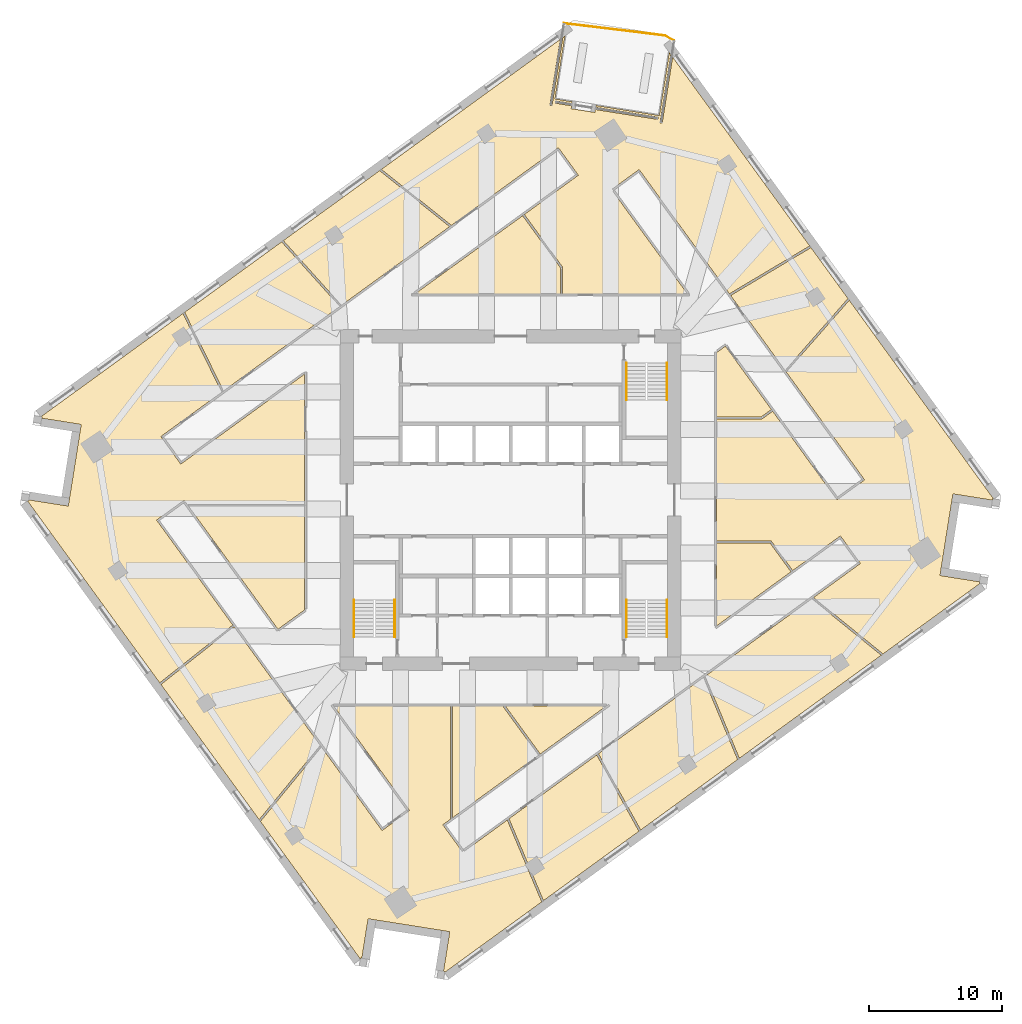
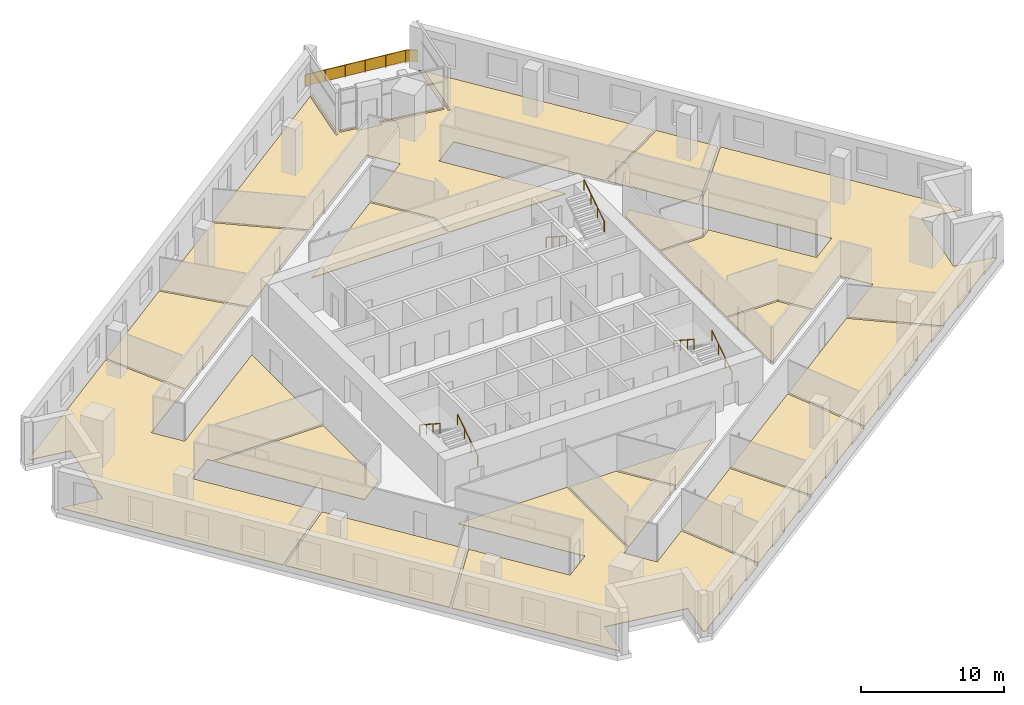
# One storey, part 10 of 11: 17 coverings, 7 railings.
"""IFC4 building model written with IfcOpenShell, lengths in metres."""

from ifc_helpers import new_model, si_unit, direction, frame, origin, origin_2d, place, context, subcontext, project, spatial, polyline, rectangle, circle, outline, extrude, material, layer, layer_set, type_object, element, save


model = new_model("IFC4")

# Units and contexts
model_context = context("Model", 3, precision=1e-05, world=origin(), true_north=direction((0.0, 1.0)))
body_context = subcontext(model_context, "Body", "Model", "MODEL_VIEW")
ifc_project = project(units=[si_unit("LENGTHUNIT", "METRE"), si_unit("AREAUNIT", "SQUARE_METRE"), si_unit("VOLUMEUNIT", "CUBIC_METRE"), si_unit("PLANEANGLEUNIT", "RADIAN"), si_unit("MASSUNIT", "GRAM", prefix="KILO")], contexts=[model_context])

# Site, building, storey
site_placement = place(None, origin())
site = spatial("IfcSite", under=ifc_project, at=site_placement, CompositionType="ELEMENT")
building_placement = place(site_placement, origin())
building = spatial("IfcBuilding", under=site, at=building_placement, Name="Dilmun Exchange Tower", CompositionType="ELEMENT")
storey_placement = place(building_placement, frame((0.0, 0.0, 163.699951171875)))
storey = spatial("IfcBuildingStorey", under=building, at=storey_placement, Name="L38", CompositionType="ELEMENT", Elevation=163.699951171875)

# Coverings
ifc_material_1 = material(Name="Carpet floor finish 50")
ifc_layer_1 = layer(ifc_material_1, 0.050048828125)
ifc_layer_set_1 = layer_set([ifc_layer_1], Name="Carpet floor finish 50")
covering_type_1 = type_object("IfcCoveringType", Name="Carpet floor finish 50", PredefinedType="FLOORING", material=ifc_layer_set_1)
covering_1_placement = place(storey_placement, origin())
element("IfcCovering", 1, at=covering_1_placement, inside=storey, type_object=covering_type_1, Name="Carpet floor finish 50 Open office 1", PredefinedType="FLOORING", context=body_context, shape_type="SweptSolid", body=[
    extrude(outline(polyline([(-21.6875, 8.09521484375), (-26.27099609375, 4.76513671875), (-24.772216796875, 2.7021484375), (-15.47509765625, 9.45703125), (-15.47509765625, -0.3203125), (-24.29931640625, -0.3203125), (-24.522705078125, -0.0126953125), (-26.585693359375, -1.51171875), (-20.861328125, -9.390625), (-26.357421875, -13.73681640625), (-36.276123046875, -0.085205078125), (-36.2060546875, -0.09619140625), (-36.205810546875, -0.09619140625), (-36.205810546875, -0.09619140625), (-36.20556640625, -0.09619140625), (-36.205322265625, -0.09619140625), (-36.205078125, -0.09619140625), (-36.205078125, -0.09619140625), (-36.204833984375, -0.095947265625), (-36.20458984375, -0.095947265625), (-36.20458984375, -0.095703125), (-36.204345703125, -0.095703125), (-36.2041015625, -0.095458984375), (-36.2041015625, -0.09521484375), (-36.2041015625, -0.09521484375), (-36.203857421875, -0.094970703125), (-36.203857421875, -0.0947265625), (-36.203857421875, -0.094482421875), (-36.186767578125, 0.013427734375), (-33.2255859375, -0.45556640625), (-33.225341796875, -0.45556640625), (-33.225341796875, -0.45556640625), (-33.22509765625, -0.45556640625), (-33.224853515625, -0.45556640625), (-33.224609375, -0.45556640625), (-33.224609375, -0.455322265625), (-33.224365234375, -0.455322265625), (-33.22412109375, -0.455078125), (-33.22412109375, -0.455078125), (-33.223876953125, -0.455078125), (-33.2236328125, -0.454833984375), (-33.2236328125, -0.45458984375), (-33.223388671875, -0.45458984375), (-33.223388671875, -0.454345703125), (-33.223388671875, -0.4541015625), (-33.223388671875, -0.453857421875), (-33.129638671875, 0.13818359375), (-33.12939453125, 0.138427734375), (-33.12939453125, 0.138671875), (-33.12939453125, 0.138916015625), (-32.347412109375, 5.07666015625), (-32.347412109375, 5.076904296875), (-32.347412109375, 5.076904296875), (-32.347412109375, 5.0771484375), (-32.25341796875, 5.669921875), (-32.25341796875, 5.669921875), (-32.25341796875, 5.670166015625), (-32.25341796875, 5.67041015625), (-32.25341796875, 5.670654296875), (-32.25341796875, 5.6708984375), (-32.253662109375, 5.6708984375), (-32.253662109375, 5.671142578125), (-32.25390625, 5.67138671875), (-32.25390625, 5.67138671875), (-32.25390625, 5.671630859375), (-32.254150390625, 5.671630859375), (-32.25439453125, 5.671875), (-32.25439453125, 5.671875), (-32.254638671875, 5.672119140625), (-32.2548828125, 5.672119140625), (-32.255126953125, 5.672119140625), (-35.21630859375, 6.14111328125), (-35.19921875, 6.248779296875), (-35.19921875, 6.2490234375), (-35.19921875, 6.249267578125), (-35.19921875, 6.24951171875), (-35.19921875, 6.249755859375), (-35.19921875, 6.25), (-35.19921875, 6.25), (-35.199462890625, 6.250244140625), (-35.199462890625, 6.25048828125), (-35.19970703125, 6.25048828125), (-35.19970703125, 6.250732421875), (-35.199951171875, 6.2509765625), (-35.199951171875, 6.2509765625), (-35.2001953125, 6.251220703125), (-35.200439453125, 6.251220703125), (-35.20068359375, 6.251220703125), (-35.20068359375, 6.251220703125), (-35.27099609375, 6.26220703125), (-24.610595703125, 14.007568359375), (-21.6875, 8.09521484375)])), origin(), (0.0, 0.0, 1.0), 0.050048828125),
])
covering_2_placement = place(storey_placement, origin())
element("IfcCovering", 2, at=covering_2_placement, inside=storey, type_object=covering_type_1, Name="Carpet floor finish 50 Training room", PredefinedType="FLOORING", context=body_context, shape_type="SweptSolid", body=[
    extrude(outline(polyline([(-20.773193359375, -9.511962890625), (-14.294921875, -18.428466796875), (-18.887939453125, -24.017578125), (-26.269287109375, -13.8583984375), (-20.773193359375, -9.511962890625)])), origin(), (0.0, 0.0, 1.0), 0.050048828125),
])
covering_3_placement = place(storey_placement, origin())
element("IfcCovering", 3, at=covering_3_placement, inside=storey, type_object=covering_type_1, Name="Carpet floor finish 50 Library 1", PredefinedType="FLOORING", context=body_context, shape_type="SweptSolid", body=[
    extrude(outline(polyline([(-24.4873046875, 14.096923828125), (-17.197509765625, 19.393310546875), (-12.827392578125, 14.532470703125), (-21.564453125, 8.184814453125), (-24.4873046875, 14.096923828125)])), origin(), (0.0, 0.0, 1.0), 0.050048828125),
])
covering_4_placement = place(storey_placement, origin())
element("IfcCovering", 4, at=covering_4_placement, inside=storey, type_object=covering_type_1, Name="Carpet floor finish 50 Boardroom 1", PredefinedType="FLOORING", context=body_context, shape_type="SweptSolid", body=[
    extrude(outline(polyline([(-17.4755859375, -9.71240234375), (-24.1904296875, -0.47021484375), (-15.47509765625, -0.47021484375), (-15.47509765625, -8.2587890625), (-17.4755859375, -9.71240234375)])), origin(), (0.0, 0.0, 1.0), 0.050048828125),
])
covering_5_placement = place(storey_placement, origin())
element("IfcCovering", 5, at=covering_5_placement, inside=storey, type_object=covering_type_1, Name="Carpet floor finish 50 Executive office 1", PredefinedType="FLOORING", context=body_context, shape_type="SweptSolid", body=[
    extrude(outline(polyline([(-12.70556640625, 14.62109375), (-17.075439453125, 19.482177734375), (-9.8369140625, 24.7412109375), (-4.573486328125, 20.529541015625), (-12.70556640625, 14.62109375)])), origin(), (0.0, 0.0, 1.0), 0.050048828125),
])
covering_6_placement = place(storey_placement, origin())
element("IfcCovering", 6, at=covering_6_placement, inside=storey, type_object=covering_type_1, Name="Carpet floor finish 50 Boardroom 2", PredefinedType="FLOORING", context=body_context, shape_type="SweptSolid", body=[
    extrude(outline(polyline([(-14.203857421875, -18.553955078125), (-9.653076171875, -24.8173828125), (-7.590087890625, -23.318603515625), (-13.288818359375, -15.47509765625), (-4.517578125, -15.47509765625), (-4.517578125, -23.982421875), (-5.085205078125, -24.394775390625), (-3.586181640625, -26.457763671875), (-0.248291015625, -24.03271484375), (2.34228515625, -30.186279296875), (-4.943359375, -35.479736328125), (-4.932373046875, -35.40966796875), (-4.932373046875, -35.409423828125), (-4.932373046875, -35.4091796875), (-4.932373046875, -35.408935546875), (-4.932373046875, -35.40869140625), (-4.932373046875, -35.40869140625), (-4.9326171875, -35.408447265625), (-4.9326171875, -35.408203125), (-4.9326171875, -35.408203125), (-4.932861328125, -35.407958984375), (-4.93310546875, -35.40771484375), (-4.93310546875, -35.40771484375), (-4.933349609375, -35.40771484375), (-4.933349609375, -35.407470703125), (-4.93359375, -35.407470703125), (-4.933837890625, -35.407470703125), (-4.93408203125, -35.4072265625), (-5.0419921875, -35.39013671875), (-4.572998046875, -32.42919921875), (-4.572998046875, -32.428955078125), (-4.572998046875, -32.4287109375), (-4.572998046875, -32.4287109375), (-4.572998046875, -32.428466796875), (-4.572998046875, -32.42822265625), (-4.572998046875, -32.427978515625), (-4.5732421875, -32.427734375), (-4.5732421875, -32.427734375), (-4.573486328125, -32.427490234375), (-4.573486328125, -32.427490234375), (-4.57373046875, -32.42724609375), (-4.57373046875, -32.427001953125), (-4.573974609375, -32.427001953125), (-4.57421875, -32.427001953125), (-4.574462890625, -32.427001953125), (-4.57470703125, -32.427001953125), (-5.167236328125, -32.3330078125), (-5.16748046875, -32.3330078125), (-5.16748046875, -32.3330078125), (-10.105712890625, -31.55078125), (-10.10595703125, -31.55078125), (-10.10595703125, -31.55078125), (-10.106201171875, -31.55078125), (-10.6982421875, -31.45703125), (-10.698486328125, -31.45703125), (-10.69873046875, -31.45703125), (-10.698974609375, -31.45703125), (-10.69921875, -31.45703125), (-10.69921875, -31.45703125), (-10.699462890625, -31.457275390625), (-10.69970703125, -31.457275390625), (-10.69970703125, -31.45751953125), (-10.699951171875, -31.45751953125), (-10.7001953125, -31.45751953125), (-10.7001953125, -31.457763671875), (-10.7001953125, -31.4580078125), (-10.700439453125, -31.4580078125), (-10.700439453125, -31.458251953125), (-10.700439453125, -31.45849609375), (-10.70068359375, -31.458740234375), (-11.169677734375, -34.419677734375), (-11.27734375, -34.402587890625), (-11.277587890625, -34.402587890625), (-11.27783203125, -34.402587890625), (-11.278076171875, -34.402587890625), (-11.2783203125, -34.402587890625), (-11.2783203125, -34.402587890625), (-11.278564453125, -34.40283203125), (-11.27880859375, -34.40283203125), (-11.27880859375, -34.403076171875), (-11.279052734375, -34.403076171875), (-11.279296875, -34.4033203125), (-11.279296875, -34.4033203125), (-11.279541015625, -34.403564453125), (-11.279541015625, -34.40380859375), (-11.279541015625, -34.40380859375), (-11.27978515625, -34.404052734375), (-11.27978515625, -34.404296875), (-11.290771484375, -34.474365234375), (-18.796875, -24.14306640625), (-14.203857421875, -18.553955078125)])), origin(), (0.0, 0.0, 1.0), 0.050048828125),
])
covering_7_placement = place(storey_placement, origin())
element("IfcCovering", 7, at=covering_7_placement, inside=storey, type_object=covering_type_1, Name="Carpet floor finish 50 Executive office 2", PredefinedType="FLOORING", context=body_context, shape_type="SweptSolid", body=[
    extrude(outline(polyline([(-4.367431640625, -15.47509765625), (-0.585693359375, -15.47509765625), (2.101318359375, -19.173583984375), (-4.367431640625, -23.87353515625), (-4.367431640625, -15.47509765625)])), origin(), (0.0, 0.0, 1.0), 0.050048828125),
])
covering_8_placement = place(storey_placement, origin())
element("IfcCovering", 8, at=covering_8_placement, inside=storey, type_object=covering_type_1, Name="Carpet floor finish 50 Garden lounge", PredefinedType="FLOORING", context=body_context, shape_type="SweptSolid", body=[
    extrude(outline(polyline([(-9.711181640625, 24.83251953125), (3.733154296875, 34.600341796875), (2.948974609375, 29.64892578125), (2.948974609375, 29.648681640625), (2.948974609375, 29.648681640625), (2.948974609375, 29.6484375), (2.948974609375, 29.648193359375), (2.948974609375, 29.648193359375), (2.94921875, 29.64794921875), (2.94921875, 29.647705078125), (2.94921875, 29.6474609375), (2.949462890625, 29.6474609375), (2.949462890625, 29.647216796875), (2.94970703125, 29.647216796875), (2.94970703125, 29.64697265625), (2.949951171875, 29.64697265625), (2.9501953125, 29.646728515625), (2.950439453125, 29.646728515625), (2.95068359375, 29.646728515625), (3.108642578125, 29.62158203125), (3.10888671875, 29.62158203125), (3.10888671875, 29.62158203125), (3.109130859375, 29.62158203125), (3.109375, 29.62158203125), (3.109619140625, 29.621826171875), (3.10986328125, 29.621826171875), (3.10986328125, 29.6220703125), (3.110107421875, 29.6220703125), (3.110107421875, 29.622314453125), (3.1103515625, 29.622314453125), (3.110595703125, 29.62255859375), (3.110595703125, 29.62255859375), (3.110595703125, 29.622802734375), (3.11083984375, 29.623046875), (3.11083984375, 29.623291015625), (3.11083984375, 29.623291015625), (3.9208984375, 34.73681640625), (4.08447265625, 34.855712890625), (3.334228515625, 30.119384765625), (4.630126953125, 29.914306640625), (4.60791015625, 29.77294921875), (3.385986328125, 29.966552734375), (3.3857421875, 29.966552734375), (3.385498046875, 29.966552734375), (3.385498046875, 29.966552734375), (3.38525390625, 29.966552734375), (3.385009765625, 29.966552734375), (3.385009765625, 29.96630859375), (3.384765625, 29.96630859375), (3.384521484375, 29.96630859375), (3.384521484375, 29.966064453125), (3.38427734375, 29.966064453125), (3.384033203125, 29.9658203125), (3.384033203125, 29.9658203125), (3.3837890625, 29.965576171875), (3.3837890625, 29.96533203125), (3.3837890625, 29.965087890625), (3.3837890625, 29.96484375), (3.358642578125, 29.806884765625), (3.358642578125, 29.806640625), (3.358642578125, 29.806396484375), (3.358642578125, 29.806396484375), (3.358642578125, 29.80615234375), (3.35888671875, 29.805908203125), (3.35888671875, 29.8056640625), (3.35888671875, 29.8056640625), (3.359130859375, 29.805419921875), (3.359130859375, 29.805419921875), (3.359375, 29.80517578125), (3.359619140625, 29.804931640625), (3.359619140625, 29.804931640625), (3.35986328125, 29.8046875), (3.360107421875, 29.8046875), (3.360107421875, 29.8046875), (3.3603515625, 29.8046875), (4.582275390625, 29.611083984375), (4.548095703125, 29.395751953125), (4.548095703125, 29.3955078125), (4.548095703125, 29.395263671875), (4.548095703125, 29.39501953125), (4.548095703125, 29.39501953125), (4.548095703125, 29.394775390625), (4.548095703125, 29.39453125), (4.54833984375, 29.394287109375), (4.54833984375, 29.394287109375), (4.548583984375, 29.39404296875), (4.548583984375, 29.393798828125), (4.548828125, 29.393798828125), (4.549072265625, 29.393798828125), (4.54931640625, 29.3935546875), (4.54931640625, 29.3935546875), (4.549560546875, 29.3935546875), (4.5498046875, 29.393310546875), (6.32763671875, 29.11181640625), (6.32763671875, 29.11181640625), (6.327880859375, 29.11181640625), (6.328125, 29.11181640625), (6.328369140625, 29.11181640625), (6.32861328125, 29.11181640625), (6.32861328125, 29.112060546875), (6.328857421875, 29.112060546875), (6.3291015625, 29.1123046875), (6.3291015625, 29.1123046875), (6.329345703125, 29.1123046875), (6.32958984375, 29.112548828125), (6.32958984375, 29.11279296875), (6.32958984375, 29.11279296875), (6.32958984375, 29.113037109375), (6.329833984375, 29.11328125), (6.329833984375, 29.113525390625), (6.364013671875, 29.328857421875), (11.042724609375, 28.587890625), (11.04296875, 28.587890625), (11.043212890625, 28.587890625), (11.04345703125, 28.587890625), (11.043701171875, 28.587890625), (11.043701171875, 28.587890625), (11.0439453125, 28.587890625), (11.044189453125, 28.588134765625), (11.044189453125, 28.588134765625), (11.04443359375, 28.58837890625), (11.044677734375, 28.58837890625), (11.044677734375, 28.588623046875), (11.044921875, 28.588623046875), (11.044921875, 28.5888671875), (11.044921875, 28.589111328125), (11.044921875, 28.58935546875), (11.045166015625, 28.589599609375), (11.070068359375, 28.74755859375), (11.070068359375, 28.747802734375), (11.070068359375, 28.747802734375), (11.070068359375, 28.748046875), (11.070068359375, 28.748291015625), (11.070068359375, 28.74853515625), (11.06982421875, 28.748779296875), (11.06982421875, 28.748779296875), (11.069580078125, 28.7490234375), (11.069580078125, 28.7490234375), (11.069580078125, 28.749267578125), (11.0693359375, 28.74951171875), (11.069091796875, 28.74951171875), (11.069091796875, 28.74951171875), (11.06884765625, 28.749755859375), (11.068603515625, 28.749755859375), (11.068359375, 28.749755859375), (6.3896484375, 29.49072265625), (6.412109375, 29.632080078125), (11.164794921875, 28.87939453125), (11.9150390625, 33.615478515625), (12.03369140625, 33.451904296875), (11.223876953125, 28.33837890625), (11.223876953125, 28.338134765625), (11.223876953125, 28.337890625), (11.223876953125, 28.337646484375), (11.223876953125, 28.33740234375), (11.22412109375, 28.33740234375), (11.22412109375, 28.337158203125), (11.22412109375, 28.3369140625), (11.224365234375, 28.3369140625), (11.224365234375, 28.336669921875), (11.224609375, 28.33642578125), (11.224609375, 28.33642578125), (11.224853515625, 28.336181640625), (11.22509765625, 28.336181640625), (11.22509765625, 28.336181640625), (11.225341796875, 28.336181640625), (11.2255859375, 28.3359375), (11.383544921875, 28.31103515625), (11.3837890625, 28.31103515625), (11.384033203125, 28.31103515625), (11.38427734375, 28.31103515625), (11.384521484375, 28.31103515625), (11.384521484375, 28.31103515625), (11.384765625, 28.311279296875), (11.385009765625, 28.311279296875), (11.385009765625, 28.311279296875), (11.38525390625, 28.3115234375), (11.385498046875, 28.3115234375), (11.385498046875, 28.311767578125), (11.385498046875, 28.31201171875), (11.3857421875, 28.31201171875), (11.3857421875, 28.312255859375), (11.385986328125, 28.3125), (11.385986328125, 28.312744140625), (12.170166015625, 33.26416015625), (22.473388671875, 19.0830078125), (16.434814453125, 15.4833984375), (9.653076171875, 24.8173828125), (7.590087890625, 23.318603515625), (13.288818359375, 15.47509765625), (3.89501953125, 15.47509765625), (3.89501953125, 17.5009765625), (1.02783203125, 21.447021484375), (5.085205078125, 24.394775390625), (3.586181640625, 26.457763671875), (-4.447509765625, 20.620849609375), (-9.711181640625, 24.83251953125)])), origin(), (0.0, 0.0, 1.0), 0.050048828125),
])
covering_9_placement = place(storey_placement, origin())
element("IfcCovering", 9, at=covering_9_placement, inside=storey, type_object=covering_type_1, Name="Carpet floor finish 50 Executive office 3", PredefinedType="FLOORING", context=body_context, shape_type="SweptSolid", body=[
    extrude(outline(polyline([(17.053955078125, -19.497802734375), (9.767578125, -24.79150390625), (6.594482421875, -19.06103515625), (14.4873046875, -13.32666015625), (17.053955078125, -19.497802734375)])), origin(), (0.0, 0.0, 1.0), 0.050048828125),
])
covering_10_placement = place(storey_placement, origin())
element("IfcCovering", 10, at=covering_10_placement, inside=storey, type_object=covering_type_1, Name="Carpet floor finish 50 Executive office 4", PredefinedType="FLOORING", context=body_context, shape_type="SweptSolid", body=[
    extrude(outline(polyline([(21.067138671875, -5.39404296875), (15.47509765625, -9.45703125), (15.47509765625, -3.228515625), (19.49365234375, -3.228515625), (21.067138671875, -5.39404296875)])), origin(), (0.0, 0.0, 1.0), 0.050048828125),
])
covering_11_placement = place(storey_placement, origin())
element("IfcCovering", 11, at=covering_11_placement, inside=storey, type_object=covering_type_1, Name="Carpet floor finish 50 Executive office 5", PredefinedType="FLOORING", context=body_context, shape_type="SweptSolid", body=[
    extrude(outline(polyline([(22.622802734375, -7.415771484375), (27.844482421875, -11.657958984375), (17.1787109375, -19.406982421875), (14.612060546875, -13.236083984375), (22.622802734375, -7.415771484375)])), origin(), (0.0, 0.0, 1.0), 0.050048828125),
])
covering_12_placement = place(storey_placement, origin())
element("IfcCovering", 12, at=covering_12_placement, inside=storey, type_object=covering_type_1, Name="Carpet floor finish 50 Library 2", PredefinedType="FLOORING", context=body_context, shape_type="SweptSolid", body=[
    extrude(outline(polyline([(22.561767578125, 18.961181640625), (25.34521484375, 15.13037109375), (20.612060546875, 9.73388671875), (16.523193359375, 15.361572265625), (22.561767578125, 18.961181640625)])), origin(), (0.0, 0.0, 1.0), 0.050048828125),
])
covering_13_placement = place(storey_placement, origin())
element("IfcCovering", 13, at=covering_13_placement, inside=storey, type_object=covering_type_1, Name="Carpet floor finish 50 Open office 2", PredefinedType="FLOORING", context=body_context, shape_type="SweptSolid", body=[
    extrude(outline(polyline([(24.522705078125, 0.0126953125), (26.585693359375, 1.51171875), (20.702392578125, 9.609619140625), (25.435546875, 15.005859375), (36.276123046875, 0.085205078125), (36.2060546875, 0.09619140625), (36.205810546875, 0.09619140625), (36.205810546875, 0.09619140625), (36.20556640625, 0.09619140625), (36.205322265625, 0.09619140625), (36.205078125, 0.09619140625), (36.205078125, 0.09619140625), (36.204833984375, 0.095947265625), (36.20458984375, 0.095947265625), (36.20458984375, 0.095703125), (36.204345703125, 0.095703125), (36.2041015625, 0.095458984375), (36.2041015625, 0.09521484375), (36.2041015625, 0.09521484375), (36.203857421875, 0.094970703125), (36.203857421875, 0.0947265625), (36.203857421875, 0.094482421875), (36.186767578125, -0.013427734375), (33.2255859375, 0.45556640625), (33.225341796875, 0.45556640625), (33.225341796875, 0.45556640625), (33.22509765625, 0.45556640625), (33.224853515625, 0.45556640625), (33.224609375, 0.45556640625), (33.224609375, 0.455322265625), (33.224365234375, 0.455322265625), (33.22412109375, 0.455078125), (33.22412109375, 0.455078125), (33.223876953125, 0.455078125), (33.2236328125, 0.454833984375), (33.2236328125, 0.45458984375), (33.223388671875, 0.45458984375), (33.223388671875, 0.454345703125), (33.223388671875, 0.4541015625), (33.223388671875, 0.453857421875), (33.129638671875, -0.13818359375), (33.12939453125, -0.138427734375), (33.12939453125, -0.138671875), (33.12939453125, -0.138916015625), (32.347412109375, -5.07666015625), (32.347412109375, -5.076904296875), (32.347412109375, -5.076904296875), (32.347412109375, -5.0771484375), (32.25341796875, -5.669921875), (32.25341796875, -5.669921875), (32.25341796875, -5.670166015625), (32.25341796875, -5.67041015625), (32.25341796875, -5.670654296875), (32.25341796875, -5.6708984375), (32.253662109375, -5.6708984375), (32.253662109375, -5.671142578125), (32.25390625, -5.67138671875), (32.25390625, -5.67138671875), (32.25390625, -5.671630859375), (32.254150390625, -5.671630859375), (32.25439453125, -5.671875), (32.25439453125, -5.671875), (32.254638671875, -5.672119140625), (32.2548828125, -5.672119140625), (32.255126953125, -5.672119140625), (35.21630859375, -6.14111328125), (35.19921875, -6.248779296875), (35.19921875, -6.2490234375), (35.19921875, -6.249267578125), (35.19921875, -6.24951171875), (35.19921875, -6.249755859375), (35.19921875, -6.25), (35.19921875, -6.25), (35.199462890625, -6.250244140625), (35.199462890625, -6.25048828125), (35.19970703125, -6.25048828125), (35.19970703125, -6.250732421875), (35.199951171875, -6.2509765625), (35.199951171875, -6.2509765625), (35.2001953125, -6.251220703125), (35.200439453125, -6.251220703125), (35.20068359375, -6.251220703125), (35.20068359375, -6.251220703125), (35.27099609375, -6.26220703125), (27.969970703125, -11.566650390625), (22.748291015625, -7.32470703125), (26.27099609375, -4.76513671875), (24.772216796875, -2.7021484375), (21.1884765625, -5.305908203125), (19.5703125, -3.07861328125), (15.47509765625, -3.07861328125), (15.47509765625, 6.094970703125), (18.88623046875, 6.094970703125), (19.68310546875, 6.674072265625), (24.522705078125, 0.0126953125)])), origin(), (0.0, 0.0, 1.0), 0.050048828125),
])

# Railings
ifc_material_2 = material(Name="Stainless steel", Category="steel")
railing_type_1 = type_object("IfcRailingType", Name="Stair handrail 900", PredefinedType="HANDRAIL", material=ifc_material_2)
railing_1_placement = place(storey_placement, frame((8.699951171875, 10.300048828125, 0.181884765625)))
element("IfcRailing", 14, at=railing_1_placement, inside=storey, type_object=railing_type_1, Name="L38 ST1 stair handrail 1", PredefinedType="HANDRAIL", context=body_context, shape_type="SweptSolid", body=[
    extrude(circle(Radius=0.02392578125, at=origin_2d()), frame((0.0, 0.0, 0.8759765625), z_axis=(0.0, -0.838705829183, 0.544584733623), x_axis=(1.0, 0.0, 0.0)), (0.0, 0.0, 1.0), 3.338623046875),
    extrude(circle(Radius=0.02099609375, at=origin_2d()), origin(), (0.0, 0.0, 1.0), 0.851806640625),
    extrude(circle(Radius=0.02099609375, at=origin_2d()), frame((0.0, -0.933349609375, 0.60595703125)), (0.0, 0.0, 1.0), 0.851806640625),
    extrude(circle(Radius=0.02099609375, at=origin_2d()), frame((0.0, -1.86669921875, 1.212158203125)), (0.0, 0.0, 1.0), 0.851806640625),
    extrude(circle(Radius=0.02099609375, at=origin_2d()), frame((0.0, -2.800048828125, 1.818115234375)), (0.0, 0.0, 1.0), 0.851806640625),
])
for number, where, name in (
    (15, (11.75, 7.5, 2.181884765625), "L38 ST1 stair handrail 2"),
    (16, (-8.699951171875, -10.300048828125, 0.181884765625), "L38 ST2 stair handrail 1"),
):
    element("IfcRailing", number, at=place(storey_placement, frame(where)), inside=storey, type_object=railing_type_1, Name=name, PredefinedType="HANDRAIL", context=body_context, shape_type="SweptSolid", body=[
        extrude(circle(Radius=0.02392578125, at=origin_2d()), frame((0.0, 0.0, 0.8759765625), z_axis=(0.0, 0.838705829183, 0.544584733623), x_axis=(-1.0, 0.0, 0.0)), (0.0, 0.0, 1.0), 3.338623046875),
        extrude(circle(Radius=0.02099609375, at=origin_2d()), origin(), (0.0, 0.0, 1.0), 0.851806640625),
        extrude(circle(Radius=0.02099609375, at=origin_2d()), frame((0.0, 0.933349609375, 0.60595703125)), (0.0, 0.0, 1.0), 0.851806640625),
        extrude(circle(Radius=0.02099609375, at=origin_2d()), frame((0.0, 1.86669921875, 1.212158203125)), (0.0, 0.0, 1.0), 0.851806640625),
        extrude(circle(Radius=0.02099609375, at=origin_2d()), frame((0.0, 2.800048828125, 1.818115234375)), (0.0, 0.0, 1.0), 0.851806640625),
    ])
railing_2_placement = place(storey_placement, frame((-11.75, -7.5, 2.181884765625)))
element("IfcRailing", 17, at=railing_2_placement, inside=storey, type_object=railing_type_1, Name="L38 ST2 stair handrail 2", PredefinedType="HANDRAIL", context=body_context, shape_type="SweptSolid", body=[
    extrude(circle(Radius=0.02392578125, at=origin_2d()), frame((0.0, 0.0, 0.8759765625), z_axis=(0.0, -0.838705829183, 0.544584733623), x_axis=(1.0, 0.0, 0.0)), (0.0, 0.0, 1.0), 3.338623046875),
    extrude(circle(Radius=0.02099609375, at=origin_2d()), origin(), (0.0, 0.0, 1.0), 0.851806640625),
    extrude(circle(Radius=0.02099609375, at=origin_2d()), frame((0.0, -0.933349609375, 0.60595703125)), (0.0, 0.0, 1.0), 0.851806640625),
    extrude(circle(Radius=0.02099609375, at=origin_2d()), frame((0.0, -1.86669921875, 1.212158203125)), (0.0, 0.0, 1.0), 0.851806640625),
    extrude(circle(Radius=0.02099609375, at=origin_2d()), frame((0.0, -2.800048828125, 1.818115234375)), (0.0, 0.0, 1.0), 0.851806640625),
])
railing_3_placement = place(storey_placement, frame((11.75, -10.300048828125, 0.181884765625)))
element("IfcRailing", 18, at=railing_3_placement, inside=storey, type_object=railing_type_1, Name="L38 ST3 stair handrail 1", PredefinedType="HANDRAIL", context=body_context, shape_type="SweptSolid", body=[
    extrude(circle(Radius=0.02392578125, at=origin_2d()), frame((0.0, 0.0, 0.8759765625), z_axis=(0.0, 0.838705829183, 0.544584733623), x_axis=(-1.0, 0.0, 0.0)), (0.0, 0.0, 1.0), 3.338623046875),
    extrude(circle(Radius=0.02099609375, at=origin_2d()), origin(), (0.0, 0.0, 1.0), 0.851806640625),
    extrude(circle(Radius=0.02099609375, at=origin_2d()), frame((0.0, 0.933349609375, 0.60595703125)), (0.0, 0.0, 1.0), 0.851806640625),
    extrude(circle(Radius=0.02099609375, at=origin_2d()), frame((0.0, 1.86669921875, 1.212158203125)), (0.0, 0.0, 1.0), 0.851806640625),
    extrude(circle(Radius=0.02099609375, at=origin_2d()), frame((0.0, 2.800048828125, 1.818115234375)), (0.0, 0.0, 1.0), 0.851806640625),
])
railing_4_placement = place(storey_placement, frame((8.699951171875, -7.5, 2.181884765625)))
element("IfcRailing", 19, at=railing_4_placement, inside=storey, type_object=railing_type_1, Name="L38 ST3 stair handrail 2", PredefinedType="HANDRAIL", context=body_context, shape_type="SweptSolid", body=[
    extrude(circle(Radius=0.02392578125, at=origin_2d()), frame((0.0, 0.0, 0.8759765625), z_axis=(0.0, -0.838705829183, 0.544584733623), x_axis=(1.0, 0.0, 0.0)), (0.0, 0.0, 1.0), 3.338623046875),
    extrude(circle(Radius=0.02099609375, at=origin_2d()), origin(), (0.0, 0.0, 1.0), 0.851806640625),
    extrude(circle(Radius=0.02099609375, at=origin_2d()), frame((0.0, -0.933349609375, 0.60595703125)), (0.0, 0.0, 1.0), 0.851806640625),
    extrude(circle(Radius=0.02099609375, at=origin_2d()), frame((0.0, -1.86669921875, 1.212158203125)), (0.0, 0.0, 1.0), 0.851806640625),
    extrude(circle(Radius=0.02099609375, at=origin_2d()), frame((0.0, -2.800048828125, 1.818115234375)), (0.0, 0.0, 1.0), 0.851806640625),
])

# Covering
ifc_material_3 = material(Name="Stone floor finish 50", Category="masonry")
ifc_layer_2 = layer(ifc_material_3, 0.050048828125)
ifc_layer_set_2 = layer_set([ifc_layer_2], Name="Stone floor finish 50")
covering_type_2 = type_object("IfcCoveringType", Name="Stone floor finish 50", PredefinedType="FLOORING", material=ifc_layer_set_2)
covering_14_placement = place(storey_placement, origin())
element("IfcCovering", 20, at=covering_14_placement, inside=storey, type_object=covering_type_2, Name="Stone floor finish 50 Reception", PredefinedType="FLOORING", context=body_context, shape_type="SweptSolid", body=[
    extrude(outline(polyline([(6.47216796875, -19.14990234375), (9.645263671875, -24.88037109375), (2.467041015625, -30.095703125), (-0.123779296875, -23.942138671875), (6.47216796875, -19.14990234375)])), origin(), (0.0, 0.0, 1.0), 0.050048828125),
])

# Railing
railing_type_2 = type_object("IfcRailingType", Name="Terrace guard 1100 stainless steel", PredefinedType="GUARDRAIL", material=ifc_material_2)
railing_5_placement = place(storey_placement, frame((4.007080078125, 35.8056640625, 0.0)))
element("IfcRailing", 21, at=railing_5_placement, inside=storey, type_object=railing_type_2, Name="Terrace guard 1", PredefinedType="GUARDRAIL", context=body_context, shape_type="SweptSolid", body=[
    extrude(circle(Radius=0.02392578125, at=origin_2d()), frame((0.0, 0.0, 1.076171875), z_axis=(0.99269404237, -0.120658767788, 0.0), x_axis=(0.120658767788, 0.99269404237, 0.0)), (0.0, 0.0, 1.0), 7.638427734375),
    extrude(rectangle(XDim=0.011962890625, YDim=0.951904296875, at=origin_2d()), frame((0.0, 0.0, 0.576171875), z_axis=(0.99269404237, -0.120658767788, 0.0), x_axis=(0.120658767788, 0.99269404237, 0.0)), (0.0, 0.0, 1.0), 7.638427734375),
    extrude(circle(Radius=0.02392578125, at=origin_2d()), frame((7.58251953125, -0.921630859375, 1.076171875), z_axis=(0.871870949232, -0.489735691864, 0.0), x_axis=(0.489735691864, 0.871870949232, 0.0)), (0.0, 0.0, 1.0), 0.794189453125),
    extrude(rectangle(XDim=0.011962890625, YDim=0.951904296875, at=origin_2d()), frame((7.58251953125, -0.921630859375, 0.576171875), z_axis=(0.871870949232, -0.489735691864, 0.0), x_axis=(0.489735691864, 0.871870949232, 0.0)), (0.0, 0.0, 1.0), 0.794189453125),
    extrude(circle(Radius=0.02099609375, at=origin_2d()), origin(), (0.0, 0.0, 1.0), 1.052001953125),
    extrude(circle(Radius=0.02099609375, at=origin_2d()), frame((1.5166015625, -0.184326171875, 0.0)), (0.0, 0.0, 1.0), 1.052001953125),
    extrude(circle(Radius=0.02099609375, at=origin_2d()), frame((3.032958984375, -0.36865234375, 0.0)), (0.0, 0.0, 1.0), 1.052001953125),
    extrude(circle(Radius=0.02099609375, at=origin_2d()), frame((4.549560546875, -0.552978515625, 0.0)), (0.0, 0.0, 1.0), 1.052001953125),
    extrude(circle(Radius=0.02099609375, at=origin_2d()), frame((6.06591796875, -0.7373046875, 0.0)), (0.0, 0.0, 1.0), 1.052001953125),
    extrude(circle(Radius=0.02099609375, at=origin_2d()), frame((7.58251953125, -0.921630859375, 0.0)), (0.0, 0.0, 1.0), 1.052001953125),
    extrude(circle(Radius=0.02099609375, at=origin_2d()), frame((8.27490234375, -1.310546875, 0.0)), (0.0, 0.0, 1.0), 1.052001953125),
])

# Coverings
ifc_material_4 = material(Name="Tile floor finish 50")
ifc_layer_3 = layer(ifc_material_4, 0.050048828125)
ifc_layer_set_3 = layer_set([ifc_layer_3], Name="Tile floor finish 50")
covering_type_3 = type_object("IfcCoveringType", Name="Tile floor finish 50", PredefinedType="FLOORING", material=ifc_layer_set_3)
covering_15_placement = place(storey_placement, origin())
element("IfcCovering", 22, at=covering_15_placement, inside=storey, type_object=covering_type_3, Name="Tile floor finish 50 Pantry 1", PredefinedType="FLOORING", context=body_context, shape_type="SweptSolid", body=[
    extrude(outline(polyline([(3.7451171875, 17.4521484375), (3.7451171875, 15.47509765625), (-7.19189453125, 15.47509765625), (0.906494140625, 21.35888671875), (3.7451171875, 17.4521484375)])), origin(), (0.0, 0.0, 1.0), 0.050048828125),
])
covering_16_placement = place(storey_placement, origin())
element("IfcCovering", 23, at=covering_16_placement, inside=storey, type_object=covering_type_3, Name="Tile floor finish 50 Pantry 2", PredefinedType="FLOORING", context=body_context, shape_type="SweptSolid", body=[
    extrude(outline(polyline([(-0.400390625, -15.47509765625), (7.19189453125, -15.47509765625), (6.576904296875, -15.921875), (2.22265625, -19.08544921875), (-0.400390625, -15.47509765625)])), origin(), (0.0, 0.0, 1.0), 0.050048828125),
])
covering_17_placement = place(storey_placement, origin())
element("IfcCovering", 24, at=covering_17_placement, inside=storey, type_object=covering_type_3, Name="Tile floor finish 50 Pantry 3", PredefinedType="FLOORING", context=body_context, shape_type="SweptSolid", body=[
    extrude(outline(polyline([(16.13623046875, 11.555908203125), (19.594970703125, 6.79541015625), (18.837646484375, 6.2451171875), (15.47509765625, 6.2451171875), (15.47509765625, 11.07568359375), (16.13623046875, 11.555908203125)])), origin(), (0.0, 0.0, 1.0), 0.050048828125),
])

save(model, "model.ifc")
